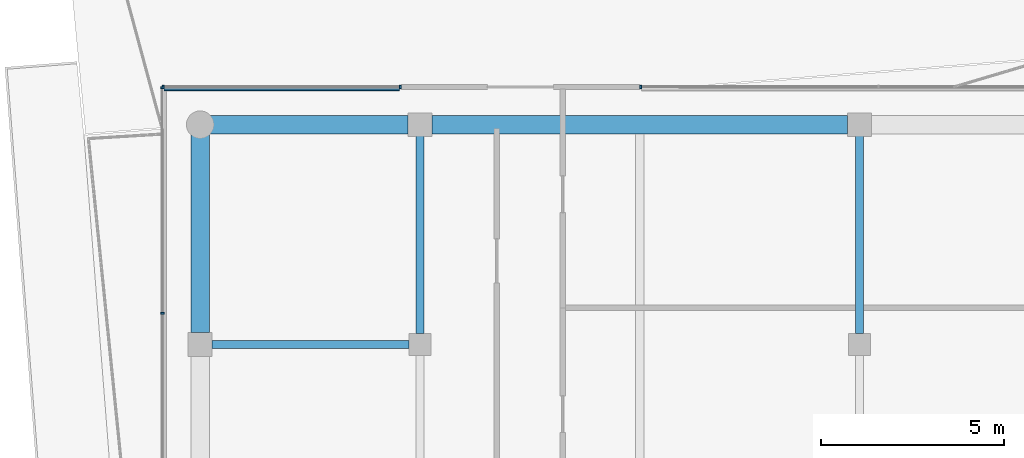
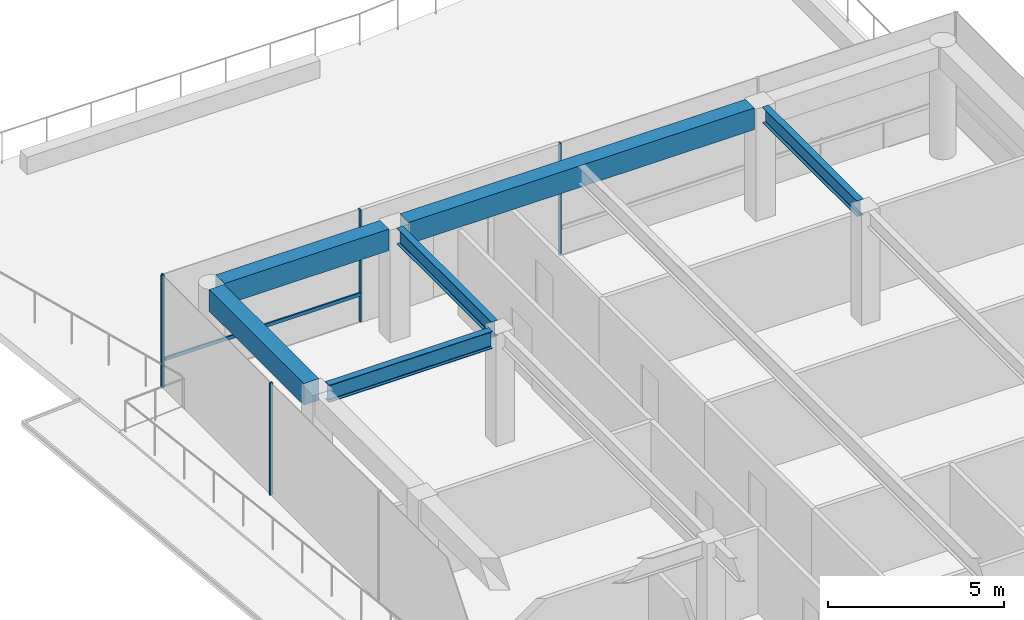
# One storey, part 13 of 20: 6 beams, 6 members, 3 elements without a shape of their own.
"""IFC4 building model written with IfcOpenShell, lengths in metres."""

from ifc_helpers import new_model, si_unit, direction, frame, origin, origin_2d, place, context, subcontext, project, spatial, rectangle, i_section, extrude, material, layer, layer_set, material_profile, profile_set, type_object, element, aggregate, save


model = new_model("IFC4")

# Units and contexts
model_context = context("Model", 3, precision=1e-05, world=origin(), true_north=direction((0.0, 1.0)))
body_context = subcontext(model_context, "Body", "Model", "MODEL_VIEW")
ifc_project = project(units=[si_unit("LENGTHUNIT", "METRE"), si_unit("AREAUNIT", "SQUARE_METRE"), si_unit("VOLUMEUNIT", "CUBIC_METRE"), si_unit("PLANEANGLEUNIT", "RADIAN"), si_unit("MASSUNIT", "GRAM", prefix="KILO")], contexts=[model_context])

# Site, building, storey
site_placement = place(None, origin())
site = spatial("IfcSite", under=ifc_project, at=site_placement, CompositionType="ELEMENT")
building_placement = place(site_placement, origin())
building = spatial("IfcBuilding", under=site, at=building_placement, Name="Welwitschia Terrace Campus", CompositionType="ELEMENT")
storey_placement = place(building_placement, frame((0.0, 0.0, 314.60009765625)))
storey = spatial("IfcBuildingStorey", under=building, at=storey_placement, Name="L70", CompositionType="ELEMENT", Elevation=314.60009765625)

# Beams
ifc_material_1 = material(Name="Steel S355", Category="steel")
ifc_material_profile_1 = material_profile(ifc_material_1, i_section(OverallWidth=0.2099609375, OverallDepth=0.550048828125, WebThickness=0.010986328125, FlangeThickness=0.01708984375, FilletRadius=0.02392578125, at=origin_2d()))
ifc_profile_set_1 = profile_set([ifc_material_profile_1], Name="Steel S355")
beam_type_1 = type_object("IfcBeamType", Name="Interior girder IPE 550", PredefinedType="BEAM", material=ifc_profile_set_1)
for number, where, z_axis, x_axis, name in (
    (1, (6.0, 44.300537109375, 3.625), (0.0, 1.0, 0.0), (-1.0, 0.0, 0.0), "Girder GB7"),
    (2, (18.0, 44.300537109375, 3.625), (0.0, 1.0, 0.0), (-1.0, 0.0, 0.0), "Girder GB7"),
):
    element("IfcBeam", number, at=place(storey_placement, frame(where, z_axis=z_axis, x_axis=x_axis)), inside=storey, type_object=beam_type_1, Name=name, PredefinedType="BEAM", context=body_context, shape_type="SweptSolid", body=[
        extrude(i_section(OverallWidth=0.2099609375, OverallDepth=0.550048828125, WebThickness=0.010986328125, FlangeThickness=0.01708984375, FilletRadius=0.02392578125, at=origin_2d()), origin(), (0.0, 0.0, 1.0), 5.384033203125),
    ])

# Curtain wall, member
ifc_material_2 = material(Name="Bronze anodised aluminium", Category="aluminium")
ifc_layer = layer(ifc_material_2, 0.10009765625)
ifc_layer_set = layer_set([ifc_layer], Name="Bronze anodised aluminium")
curtain_wall_type = type_object("IfcCurtainWallType", Name="Curtain wall CW5 crown 6000", PredefinedType="NOTDEFINED", material=ifc_layer_set)
curtain_wall_1_placement = place(storey_placement, origin())
curtain_wall_1 = element("IfcCurtainWall", 3, at=curtain_wall_1_placement, inside=storey, type_object=curtain_wall_type, Name="CW L70.6.0", PredefinedType="NOTDEFINED")
ifc_material_3 = material(Name="Bronze anodised aluminium", Category="aluminium")
ifc_material_profile_2 = material_profile(ifc_material_3, rectangle(XDim=0.10009765625, YDim=0.050048828125, at=origin_2d()))
ifc_profile_set_2 = profile_set([ifc_material_profile_2], Name="Bronze anodised aluminium")
member_type_1 = type_object("IfcMemberType", Name="Mullion 50x100", PredefinedType="MULLION", material=ifc_profile_set_2)
member_1_placement = place(storey_placement, frame((12.02490234375, 51.030029296875, 0.0), z_axis=(0.0, 0.0, 1.0), x_axis=(0.0, -1.0, 0.0)))
member_1 = element("IfcMember", 4, at=member_1_placement, type_object=member_type_1, Name="Mullion L70.6.0.2", PredefinedType="MULLION", context=body_context, shape_type="SweptSolid", body=[
    extrude(rectangle(XDim=0.10009765625, YDim=0.050048828125, at=origin_2d()), origin(), (0.0, 0.0, 1.0), 3.89990234375),
])
aggregate(curtain_wall_1, [member_1])

# Curtain wall, members
curtain_wall_2_placement = place(storey_placement, origin())
curtain_wall_2 = element("IfcCurtainWall", 5, at=curtain_wall_2_placement, inside=storey, type_object=curtain_wall_type, Name="CW L70.6.3", PredefinedType="NOTDEFINED")
member_2_placement = place(storey_placement, frame((5.4599609375, 51.030029296875, 0.0), z_axis=(0.0, 0.0, 1.0), x_axis=(0.0, -1.0, 0.0)))
member_2 = element("IfcMember", 6, at=member_2_placement, type_object=member_type_1, Name="Mullion L70.6.3.0", PredefinedType="MULLION", context=body_context, shape_type="SweptSolid", body=[
    extrude(rectangle(XDim=0.10009765625, YDim=0.050048828125, at=origin_2d()), origin(), (0.0, 0.0, 1.0), 3.89990234375),
])
member_3_placement = place(storey_placement, frame((-1.0048828125, 51.030029296875, 0.0), z_axis=(0.0, 0.0, 1.0), x_axis=(0.0, -1.0, 0.0)))
member_3 = element("IfcMember", 7, at=member_3_placement, type_object=member_type_1, Name="Mullion L70.6.3.1", PredefinedType="MULLION", context=body_context, shape_type="SweptSolid", body=[
    extrude(rectangle(XDim=0.10009765625, YDim=0.050048828125, at=origin_2d()), origin(), (0.0, 0.0, 1.0), 3.89990234375),
])

curtain_wall_3_placement = place(storey_placement, origin())
curtain_wall_3 = element("IfcCurtainWall", 8, at=curtain_wall_3_placement, inside=storey, type_object=curtain_wall_type, Name="CW L70.7.0", PredefinedType="NOTDEFINED")
member_4_placement = place(storey_placement, frame((-1.030029296875, 51.0048828125, 0.0), z_axis=(0.0, 0.0, 1.0), x_axis=(1.0, 0.0, 0.0)))
member_4 = element("IfcMember", 9, at=member_4_placement, type_object=member_type_1, Name="Mullion L70.7.0.0", PredefinedType="MULLION", context=body_context, shape_type="SweptSolid", body=[
    extrude(rectangle(XDim=0.10009765625, YDim=0.050048828125, at=origin_2d()), origin(), (0.0, 0.0, 1.0), 3.89990234375),
])
member_5_placement = place(storey_placement, frame((-1.030029296875, 44.847900390625, 0.0), z_axis=(0.0, 0.0, 1.0), x_axis=(1.0, 0.0, 0.0)))
member_5 = element("IfcMember", 10, at=member_5_placement, type_object=member_type_1, Name="Mullion L70.7.0.1", PredefinedType="MULLION", context=body_context, shape_type="SweptSolid", body=[
    extrude(rectangle(XDim=0.10009765625, YDim=0.050048828125, at=origin_2d()), origin(), (0.0, 0.0, 1.0), 3.89990234375),
])
aggregate(curtain_wall_3, [member_4, member_5])

# Beams
ifc_material_4 = material(Name="Steel S355", Category="steel")
ifc_material_profile_3 = material_profile(ifc_material_4, i_section(OverallWidth=0.219970703125, OverallDepth=0.60009765625, WebThickness=0.011962890625, FlangeThickness=0.01904296875, FilletRadius=0.02392578125, at=origin_2d()))
ifc_profile_set_3 = profile_set([ifc_material_profile_3], Name="Steel S355")
beam_type_2 = type_object("IfcBeamType", Name="Primary beam IPE 600", PredefinedType="BEAM", material=ifc_profile_set_3)
beam_1_placement = place(storey_placement, frame((0.325439453125, 44.0, 3.599853515625), z_axis=(1.0, 0.0, 0.0), x_axis=(0.0, 1.0, 0.0)))
element("IfcBeam", 11, at=beam_1_placement, inside=storey, type_object=beam_type_2, Name="Primary beam PB7", PredefinedType="BEAM", context=body_context, shape_type="SweptSolid", body=[
    extrude(i_section(OverallWidth=0.219970703125, OverallDepth=0.60009765625, WebThickness=0.011962890625, FlangeThickness=0.01904296875, FilletRadius=0.02392578125, at=origin_2d()), origin(), (0.0, 0.0, 1.0), 5.3740234375),
])
ifc_material_5 = material(Name="Concrete C40/50", Category="concrete")
ifc_material_profile_4 = material_profile(ifc_material_5, rectangle(XDim=0.5, YDim=0.75, at=origin_2d()))
ifc_profile_set_4 = profile_set([ifc_material_profile_4], Name="Concrete C40/50")
beam_type_3 = type_object("IfcBeamType", Name="Ring spandrel 500x750", PredefinedType="SPANDREL", material=ifc_profile_set_4)
beam_2_placement = place(storey_placement, frame((17.674560546875, 50.0, 3.52490234375), z_axis=(-1.0, 0.0, 0.0), x_axis=(0.0, -1.0, 0.0)))
element("IfcBeam", 12, at=beam_2_placement, inside=storey, type_object=beam_type_3, Name="Spandrel SP5", PredefinedType="SPANDREL", context=body_context, shape_type="SweptSolid", body=[
    extrude(rectangle(XDim=0.5, YDim=0.75, at=origin_2d()), origin(), (0.0, 0.0, 1.0), 11.34912109375),
])
for number, where, z_axis, x_axis, name in (
    (13, (5.674560546875, 50.0, 3.52490234375), (-1.0, 0.0, 0.0), (0.0, -1.0, 0.0), "Spandrel SP5"),
    (14, (0.0, 49.719482421875, 3.52490234375), (0.0, -1.0, 0.0), (1.0, 0.0, 0.0), "Spandrel SP5"),
):
    element("IfcBeam", number, at=place(storey_placement, frame(where, z_axis=z_axis, x_axis=x_axis)), inside=storey, type_object=beam_type_3, Name=name, PredefinedType="SPANDREL", context=body_context, shape_type="SweptSolid", body=[
        extrude(rectangle(XDim=0.5, YDim=0.75, at=origin_2d()), origin(), (0.0, 0.0, 1.0), 5.39404296875),
    ])

# Member
ifc_material_6 = material(Name="Bronze anodised aluminium", Category="aluminium")
ifc_material_profile_5 = material_profile(ifc_material_6, rectangle(XDim=0.050048828125, YDim=0.1201171875, at=origin_2d()))
ifc_profile_set_5 = profile_set([ifc_material_profile_5], Name="Bronze anodised aluminium")
member_type_2 = type_object("IfcMemberType", Name="Transom 50x120", PredefinedType="USERDEFINED", material=ifc_profile_set_5)
member_6_placement = place(storey_placement, frame((5.43505859375, 50.955078125, 1.0), z_axis=(-1.0, 0.0, 0.0), x_axis=(0.0, -1.0, 0.0)))
member_6 = element("IfcMember", 15, at=member_6_placement, type_object=member_type_2, Name="Transom L70.6.3", ObjectType="TRANSOM", PredefinedType="USERDEFINED", context=body_context, shape_type="SweptSolid", body=[
    extrude(rectangle(XDim=0.050048828125, YDim=0.1201171875, at=origin_2d()), origin(), (0.0, 0.0, 1.0), 6.4150390625),
])

aggregate(curtain_wall_2, [member_2, member_3, member_6])

save(model, "model.ifc")
